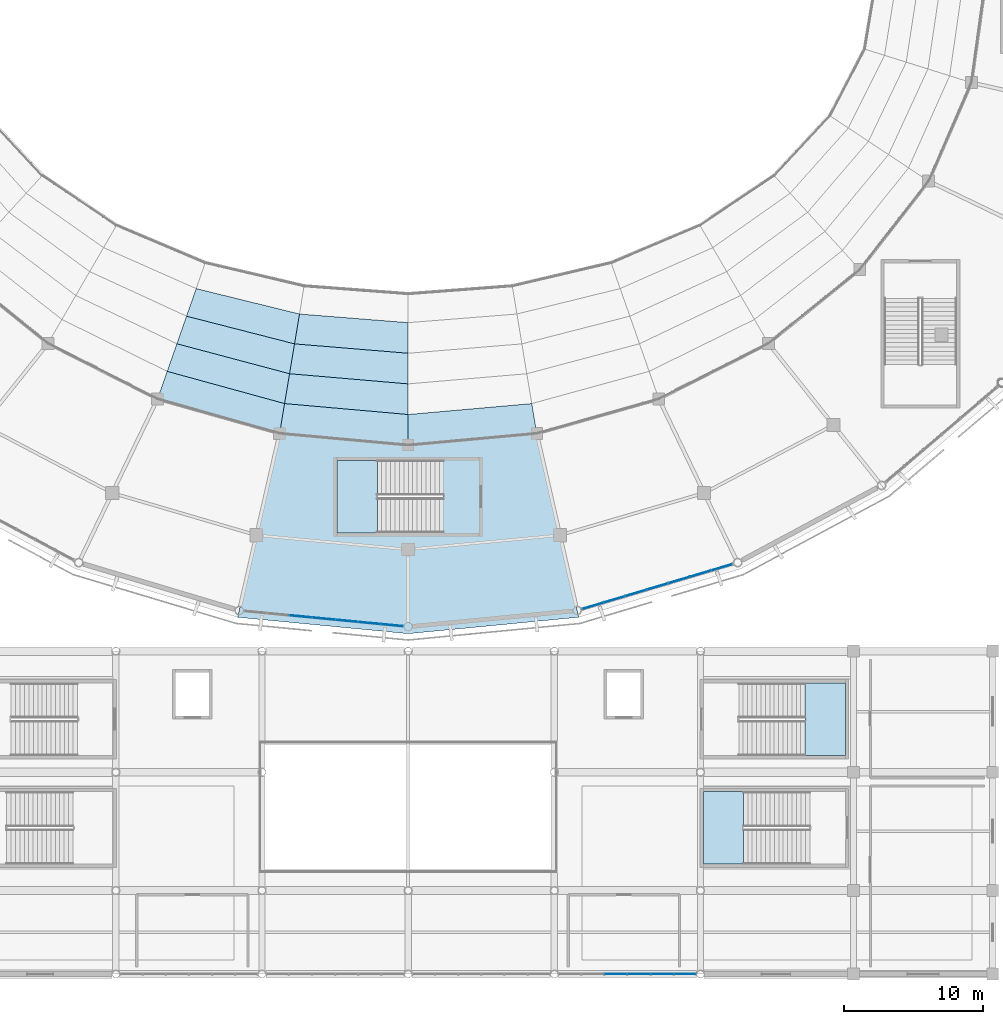
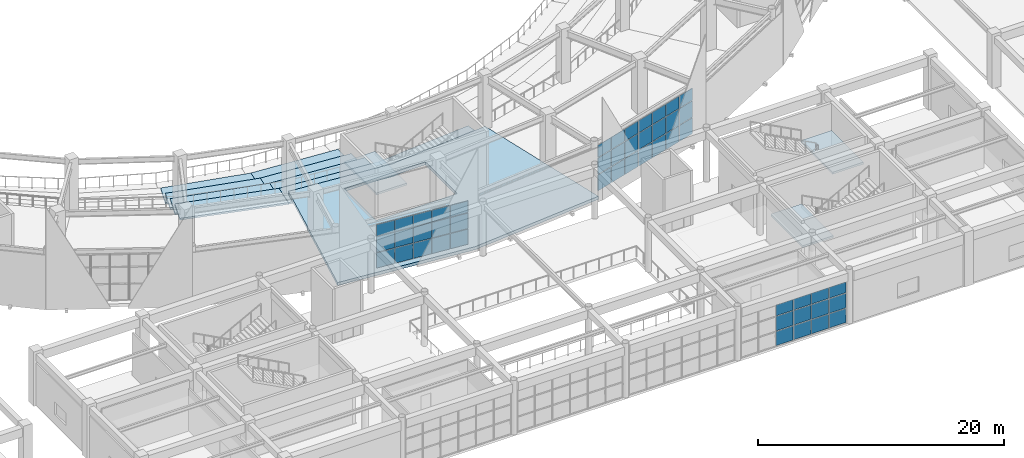
# One storey, part 60 of 120: 48 plates, 13 slabs, 6 elements without a shape of their own.
"""IFC4 building model written with IfcOpenShell, lengths in metres."""

from ifc_helpers import new_model, si_unit, direction, frame, origin, origin_2d, place, context, subcontext, project, spatial, polyline, rectangle, outline, extrude, material, layer, layer_set, type_object, element, aggregate, save


model = new_model("IFC4")

# Units and contexts
model_context = context("Model", 3, precision=1e-05, world=origin(), true_north=direction((0.0, 1.0)))
body_context = subcontext(model_context, "Body", "Model", "MODEL_VIEW")
ifc_project = project(units=[si_unit("LENGTHUNIT", "METRE"), si_unit("AREAUNIT", "SQUARE_METRE"), si_unit("VOLUMEUNIT", "CUBIC_METRE"), si_unit("PLANEANGLEUNIT", "RADIAN"), si_unit("MASSUNIT", "GRAM", prefix="KILO")], contexts=[model_context])

# Site, building, storey
site_placement = place(None, origin())
site = spatial("IfcSite", under=ifc_project, at=site_placement, CompositionType="ELEMENT")
building_placement = place(site_placement, origin())
building = spatial("IfcBuilding", under=site, at=building_placement, Name="Cuetzalor Civic Arena", CompositionType="ELEMENT")
storey_placement = place(building_placement, frame((0.0, 0.0, 6.0)))
storey = spatial("IfcBuildingStorey", under=building, at=storey_placement, Name="L01", CompositionType="ELEMENT", Elevation=6.0)

# Curtain wall, plates
ifc_material_1 = material(Name="Anodised dark bronze aluminium and low-E solar glass", Category="aluminium")
curtain_wall_type_1 = type_object("IfcCurtainWallType", Name="UnitisedCW_11550x4450", PredefinedType="USERDEFINED", material=ifc_material_1)
curtain_wall_1_placement = place(storey_placement, origin())
curtain_wall_1 = element("IfcCurtainWall", 1, at=curtain_wall_1_placement, inside=storey, type_object=curtain_wall_type_1, Name="Drum Triangle Foyer Curtain Wall L01-029", ObjectType="UNITISED CURTAIN WALL", PredefinedType="USERDEFINED")
ifc_material_2 = material(Name="Acoustic laminated solar control glass", Category="glass")
ifc_layer_1 = layer(ifc_material_2, 0.0439453125)
ifc_layer_set_1 = layer_set([ifc_layer_1], Name="Acoustic laminated solar control glass")
plate_type_1 = type_object("IfcPlateType", Name="AcousticTripleGlazedPanel_44", PredefinedType="CURTAIN_PANEL", material=ifc_layer_set_1)
plate_1_placement = place(storey_placement, frame((-1.15185546875, -46.439208984375, 0.06494140625), z_axis=(0.0, 0.0, 1.0), x_axis=(-0.995409139996, 0.095711253324, 0.0)))
plate_1 = element("IfcPlate", 2, at=plate_1_placement, type_object=plate_type_1, Name="CW-08 panel 1.1", PredefinedType="CURTAIN_PANEL", context=body_context, shape_type="SweptSolid", body=[
    extrude(rectangle(XDim=1.5546875, YDim=0.0439453125, at=origin_2d()), origin(), (0.0, 0.0, 1.0), 1.49853515625),
])
plate_2_placement = place(storey_placement, frame((-1.15185546875, -46.439208984375, 1.62841796875), z_axis=(0.0, 0.0, 1.0), x_axis=(-0.995409139996, 0.095711253324, 0.0)))
plate_2 = element("IfcPlate", 3, at=plate_2_placement, type_object=plate_type_1, Name="CW-08 panel 1.2", PredefinedType="CURTAIN_PANEL", context=body_context, shape_type="SweptSolid", body=[
    extrude(rectangle(XDim=1.5546875, YDim=0.0439453125, at=origin_2d()), origin(), (0.0, 0.0, 1.0), 1.530029296875),
])
plate_3_placement = place(storey_placement, frame((-1.15185546875, -46.439208984375, 3.223388671875), z_axis=(0.0, 0.0, 1.0), x_axis=(-0.995409139996, 0.095711253324, 0.0)))
plate_3 = element("IfcPlate", 4, at=plate_3_placement, type_object=plate_type_1, Name="CW-08 panel 1.3", PredefinedType="CURTAIN_PANEL", context=body_context, shape_type="SweptSolid", body=[
    extrude(rectangle(XDim=1.5546875, YDim=0.0439453125, at=origin_2d()), origin(), (0.0, 0.0, 1.0), 1.1435546875),
])
plate_4_placement = place(storey_placement, frame((-2.780029296875, -46.28271484375, 0.06494140625), z_axis=(0.0, 0.0, 1.0), x_axis=(-0.995409139996, 0.095711253324, 0.0)))
plate_4 = element("IfcPlate", 5, at=plate_4_placement, type_object=plate_type_1, Name="CW-08 panel 2.1", PredefinedType="CURTAIN_PANEL", context=body_context, shape_type="SweptSolid", body=[
    extrude(rectangle(XDim=1.587158203125, YDim=0.0439453125, at=origin_2d()), origin(), (0.0, 0.0, 1.0), 1.49853515625),
])
plate_5_placement = place(storey_placement, frame((-2.780029296875, -46.28271484375, 1.62841796875), z_axis=(0.0, 0.0, 1.0), x_axis=(-0.995409139996, 0.095711253324, 0.0)))
plate_5 = element("IfcPlate", 6, at=plate_5_placement, type_object=plate_type_1, Name="CW-08 panel 2.2", PredefinedType="CURTAIN_PANEL", context=body_context, shape_type="SweptSolid", body=[
    extrude(rectangle(XDim=1.587158203125, YDim=0.0439453125, at=origin_2d()), origin(), (0.0, 0.0, 1.0), 1.530029296875),
])
plate_6_placement = place(storey_placement, frame((-2.780029296875, -46.28271484375, 3.223388671875), z_axis=(0.0, 0.0, 1.0), x_axis=(-0.995409139996, 0.095711253324, 0.0)))
plate_6 = element("IfcPlate", 7, at=plate_6_placement, type_object=plate_type_1, Name="CW-08 panel 2.3", PredefinedType="CURTAIN_PANEL", context=body_context, shape_type="SweptSolid", body=[
    extrude(rectangle(XDim=1.587158203125, YDim=0.0439453125, at=origin_2d()), origin(), (0.0, 0.0, 1.0), 1.1435546875),
])
plate_7_placement = place(storey_placement, frame((-4.4248046875, -46.12451171875, 0.06494140625), z_axis=(0.0, 0.0, 1.0), x_axis=(-0.995409139996, 0.095711253324, 0.0)))
plate_7 = element("IfcPlate", 8, at=plate_7_placement, type_object=plate_type_1, Name="CW-08 panel 3.1", PredefinedType="CURTAIN_PANEL", context=body_context, shape_type="SweptSolid", body=[
    extrude(rectangle(XDim=1.587158203125, YDim=0.0439453125, at=origin_2d()), origin(), (0.0, 0.0, 1.0), 1.49853515625),
])
plate_8_placement = place(storey_placement, frame((-4.4248046875, -46.12451171875, 1.62841796875), z_axis=(0.0, 0.0, 1.0), x_axis=(-0.995409139996, 0.095711253324, 0.0)))
plate_8 = element("IfcPlate", 9, at=plate_8_placement, type_object=plate_type_1, Name="CW-08 panel 3.2", PredefinedType="CURTAIN_PANEL", context=body_context, shape_type="SweptSolid", body=[
    extrude(rectangle(XDim=1.587158203125, YDim=0.0439453125, at=origin_2d()), origin(), (0.0, 0.0, 1.0), 1.530029296875),
])
plate_9_placement = place(storey_placement, frame((-4.4248046875, -46.12451171875, 3.223388671875), z_axis=(0.0, 0.0, 1.0), x_axis=(-0.995409139996, 0.095711253324, 0.0)))
plate_9 = element("IfcPlate", 10, at=plate_9_placement, type_object=plate_type_1, Name="CW-08 panel 3.3", PredefinedType="CURTAIN_PANEL", context=body_context, shape_type="SweptSolid", body=[
    extrude(rectangle(XDim=1.587158203125, YDim=0.0439453125, at=origin_2d()), origin(), (0.0, 0.0, 1.0), 1.1435546875),
])
plate_10_placement = place(storey_placement, frame((-6.0693359375, -45.966552734375, 0.06494140625), z_axis=(0.0, 0.0, 1.0), x_axis=(-0.995409139996, 0.095711253324, 0.0)))
plate_10 = element("IfcPlate", 11, at=plate_10_placement, type_object=plate_type_1, Name="CW-08 panel 4.1", PredefinedType="CURTAIN_PANEL", context=body_context, shape_type="SweptSolid", body=[
    extrude(rectangle(XDim=1.587158203125, YDim=0.0439453125, at=origin_2d()), origin(), (0.0, 0.0, 1.0), 1.49853515625),
])
plate_11_placement = place(storey_placement, frame((-6.0693359375, -45.966552734375, 1.62841796875), z_axis=(0.0, 0.0, 1.0), x_axis=(-0.995409139996, 0.095711253324, 0.0)))
plate_11 = element("IfcPlate", 12, at=plate_11_placement, type_object=plate_type_1, Name="CW-08 panel 4.2", PredefinedType="CURTAIN_PANEL", context=body_context, shape_type="SweptSolid", body=[
    extrude(rectangle(XDim=1.587158203125, YDim=0.0439453125, at=origin_2d()), origin(), (0.0, 0.0, 1.0), 1.530029296875),
])
plate_12_placement = place(storey_placement, frame((-6.0693359375, -45.966552734375, 3.223388671875), z_axis=(0.0, 0.0, 1.0), x_axis=(-0.995409139996, 0.095711253324, 0.0)))
plate_12 = element("IfcPlate", 13, at=plate_12_placement, type_object=plate_type_1, Name="CW-08 panel 4.3", PredefinedType="CURTAIN_PANEL", context=body_context, shape_type="SweptSolid", body=[
    extrude(rectangle(XDim=1.587158203125, YDim=0.0439453125, at=origin_2d()), origin(), (0.0, 0.0, 1.0), 1.1435546875),
])
plate_13_placement = place(storey_placement, frame((-7.7138671875, -45.808349609375, 0.06494140625), z_axis=(0.0, 0.0, 1.0), x_axis=(-0.995409139996, 0.095711253324, 0.0)))
plate_13 = element("IfcPlate", 14, at=plate_13_placement, type_object=plate_type_1, Name="CW-08 panel 5.1", PredefinedType="CURTAIN_PANEL", context=body_context, shape_type="SweptSolid", body=[
    extrude(rectangle(XDim=1.587158203125, YDim=0.0439453125, at=origin_2d()), origin(), (0.0, 0.0, 1.0), 1.49853515625),
])
plate_14_placement = place(storey_placement, frame((-7.7138671875, -45.808349609375, 1.62841796875), z_axis=(0.0, 0.0, 1.0), x_axis=(-0.995409139996, 0.095711253324, 0.0)))
plate_14 = element("IfcPlate", 15, at=plate_14_placement, type_object=plate_type_1, Name="CW-08 panel 5.2", PredefinedType="CURTAIN_PANEL", context=body_context, shape_type="SweptSolid", body=[
    extrude(rectangle(XDim=1.587158203125, YDim=0.0439453125, at=origin_2d()), origin(), (0.0, 0.0, 1.0), 1.530029296875),
])
plate_15_placement = place(storey_placement, frame((-7.7138671875, -45.808349609375, 3.223388671875), z_axis=(0.0, 0.0, 1.0), x_axis=(-0.995409139996, 0.095711253324, 0.0)))
plate_15 = element("IfcPlate", 16, at=plate_15_placement, type_object=plate_type_1, Name="CW-08 panel 5.3", PredefinedType="CURTAIN_PANEL", context=body_context, shape_type="SweptSolid", body=[
    extrude(rectangle(XDim=1.587158203125, YDim=0.0439453125, at=origin_2d()), origin(), (0.0, 0.0, 1.0), 1.1435546875),
])
aggregate(curtain_wall_1, [plate_1, plate_2, plate_3, plate_4, plate_5, plate_6, plate_7, plate_8, plate_9, plate_10, plate_11, plate_12, plate_13, plate_14, plate_15])

ifc_material_3 = material(Name="Anodised dark bronze aluminium and low-E solar glass", Category="aluminium")
curtain_wall_type_2 = type_object("IfcCurtainWallType", Name="UnitisedCW_11300x4650", PredefinedType="USERDEFINED", material=ifc_material_3)
curtain_wall_2_placement = place(storey_placement, origin())
curtain_wall_2 = element("IfcCurtainWall", 17, at=curtain_wall_2_placement, inside=storey, type_object=curtain_wall_type_2, Name="Drum Triangle Foyer Curtain Wall L01-030", ObjectType="UNITISED CURTAIN WALL", PredefinedType="USERDEFINED")
plate_16_placement = place(storey_placement, frame((22.53125, -42.279541015625, 0.06982421875), z_axis=(0.0, 0.0, 1.0), x_axis=(-0.958193690548, -0.286120344251, 0.0)))
plate_16 = element("IfcPlate", 18, at=plate_16_placement, type_object=plate_type_1, Name="CW-09 panel 1.1", PredefinedType="CURTAIN_PANEL", context=body_context, shape_type="SweptSolid", body=[
    extrude(rectangle(XDim=1.5107421875, YDim=0.0439453125, at=origin_2d()), origin(), (0.0, 0.0, 1.0), 1.570068359375),
])
plate_17_placement = place(storey_placement, frame((22.53125, -42.279541015625, 1.7099609375), z_axis=(0.0, 0.0, 1.0), x_axis=(-0.958193690548, -0.286120344251, 0.0)))
plate_17 = element("IfcPlate", 19, at=plate_17_placement, type_object=plate_type_1, Name="CW-09 panel 1.2", PredefinedType="CURTAIN_PANEL", context=body_context, shape_type="SweptSolid", body=[
    extrude(rectangle(XDim=1.5107421875, YDim=0.0439453125, at=origin_2d()), origin(), (0.0, 0.0, 1.0), 1.60498046875),
])
plate_18_placement = place(storey_placement, frame((22.53125, -42.279541015625, 3.384765625), z_axis=(0.0, 0.0, 1.0), x_axis=(-0.958193690548, -0.286120344251, 0.0)))
plate_18 = element("IfcPlate", 20, at=plate_18_placement, type_object=plate_type_1, Name="CW-09 panel 1.3", PredefinedType="CURTAIN_PANEL", context=body_context, shape_type="SweptSolid", body=[
    extrude(rectangle(XDim=1.5107421875, YDim=0.0439453125, at=origin_2d()), origin(), (0.0, 0.0, 1.0), 1.197998046875),
])
plate_19_placement = place(storey_placement, frame((20.999755859375, -42.73681640625, 0.06982421875), z_axis=(0.0, 0.0, 1.0), x_axis=(-0.958193690548, -0.286120344251, 0.0)))
plate_19 = element("IfcPlate", 21, at=plate_19_placement, type_object=plate_type_1, Name="CW-09 panel 2.1", PredefinedType="CURTAIN_PANEL", context=body_context, shape_type="SweptSolid", body=[
    extrude(rectangle(XDim=1.545654296875, YDim=0.0439453125, at=origin_2d()), origin(), (0.0, 0.0, 1.0), 1.570068359375),
])
plate_20_placement = place(storey_placement, frame((20.999755859375, -42.73681640625, 1.7099609375), z_axis=(0.0, 0.0, 1.0), x_axis=(-0.958193690548, -0.286120344251, 0.0)))
plate_20 = element("IfcPlate", 22, at=plate_20_placement, type_object=plate_type_1, Name="CW-09 panel 2.2", PredefinedType="CURTAIN_PANEL", context=body_context, shape_type="SweptSolid", body=[
    extrude(rectangle(XDim=1.545654296875, YDim=0.0439453125, at=origin_2d()), origin(), (0.0, 0.0, 1.0), 1.60498046875),
])
plate_21_placement = place(storey_placement, frame((20.999755859375, -42.73681640625, 3.384765625), z_axis=(0.0, 0.0, 1.0), x_axis=(-0.958193690548, -0.286120344251, 0.0)))
plate_21 = element("IfcPlate", 23, at=plate_21_placement, type_object=plate_type_1, Name="CW-09 panel 2.3", PredefinedType="CURTAIN_PANEL", context=body_context, shape_type="SweptSolid", body=[
    extrude(rectangle(XDim=1.545654296875, YDim=0.0439453125, at=origin_2d()), origin(), (0.0, 0.0, 1.0), 1.197998046875),
])
plate_22_placement = place(storey_placement, frame((19.45166015625, -43.19921875, 0.06982421875), z_axis=(0.0, 0.0, 1.0), x_axis=(-0.958193690548, -0.286120344251, 0.0)))
plate_22 = element("IfcPlate", 24, at=plate_22_placement, type_object=plate_type_1, Name="CW-09 panel 3.1", PredefinedType="CURTAIN_PANEL", context=body_context, shape_type="SweptSolid", body=[
    extrude(rectangle(XDim=1.545654296875, YDim=0.0439453125, at=origin_2d()), origin(), (0.0, 0.0, 1.0), 1.570068359375),
])
plate_23_placement = place(storey_placement, frame((19.45166015625, -43.19921875, 1.7099609375), z_axis=(0.0, 0.0, 1.0), x_axis=(-0.958193690548, -0.286120344251, 0.0)))
plate_23 = element("IfcPlate", 25, at=plate_23_placement, type_object=plate_type_1, Name="CW-09 panel 3.2", PredefinedType="CURTAIN_PANEL", context=body_context, shape_type="SweptSolid", body=[
    extrude(rectangle(XDim=1.545654296875, YDim=0.0439453125, at=origin_2d()), origin(), (0.0, 0.0, 1.0), 1.60498046875),
])
plate_24_placement = place(storey_placement, frame((19.45166015625, -43.19921875, 3.384765625), z_axis=(0.0, 0.0, 1.0), x_axis=(-0.958193690548, -0.286120344251, 0.0)))
plate_24 = element("IfcPlate", 26, at=plate_24_placement, type_object=plate_type_1, Name="CW-09 panel 3.3", PredefinedType="CURTAIN_PANEL", context=body_context, shape_type="SweptSolid", body=[
    extrude(rectangle(XDim=1.545654296875, YDim=0.0439453125, at=origin_2d()), origin(), (0.0, 0.0, 1.0), 1.197998046875),
])
plate_25_placement = place(storey_placement, frame((17.903564453125, -43.66162109375, 0.06982421875), z_axis=(0.0, 0.0, 1.0), x_axis=(-0.958193690548, -0.286120344251, 0.0)))
plate_25 = element("IfcPlate", 27, at=plate_25_placement, type_object=plate_type_1, Name="CW-09 panel 4.1", PredefinedType="CURTAIN_PANEL", context=body_context, shape_type="SweptSolid", body=[
    extrude(rectangle(XDim=1.545654296875, YDim=0.0439453125, at=origin_2d()), origin(), (0.0, 0.0, 1.0), 1.570068359375),
])
plate_26_placement = place(storey_placement, frame((17.903564453125, -43.66162109375, 1.7099609375), z_axis=(0.0, 0.0, 1.0), x_axis=(-0.958193690548, -0.286120344251, 0.0)))
plate_26 = element("IfcPlate", 28, at=plate_26_placement, type_object=plate_type_1, Name="CW-09 panel 4.2", PredefinedType="CURTAIN_PANEL", context=body_context, shape_type="SweptSolid", body=[
    extrude(rectangle(XDim=1.545654296875, YDim=0.0439453125, at=origin_2d()), origin(), (0.0, 0.0, 1.0), 1.60498046875),
])
plate_27_placement = place(storey_placement, frame((17.903564453125, -43.66162109375, 3.384765625), z_axis=(0.0, 0.0, 1.0), x_axis=(-0.958193690548, -0.286120344251, 0.0)))
plate_27 = element("IfcPlate", 29, at=plate_27_placement, type_object=plate_type_1, Name="CW-09 panel 4.3", PredefinedType="CURTAIN_PANEL", context=body_context, shape_type="SweptSolid", body=[
    extrude(rectangle(XDim=1.545654296875, YDim=0.0439453125, at=origin_2d()), origin(), (0.0, 0.0, 1.0), 1.197998046875),
])
plate_28_placement = place(storey_placement, frame((16.355224609375, -44.123779296875, 0.06982421875), z_axis=(0.0, 0.0, 1.0), x_axis=(-0.958193690548, -0.286120344251, 0.0)))
plate_28 = element("IfcPlate", 30, at=plate_28_placement, type_object=plate_type_1, Name="CW-09 panel 5.1", PredefinedType="CURTAIN_PANEL", context=body_context, shape_type="SweptSolid", body=[
    extrude(rectangle(XDim=1.545654296875, YDim=0.0439453125, at=origin_2d()), origin(), (0.0, 0.0, 1.0), 1.570068359375),
])
plate_29_placement = place(storey_placement, frame((16.355224609375, -44.123779296875, 1.7099609375), z_axis=(0.0, 0.0, 1.0), x_axis=(-0.958193690548, -0.286120344251, 0.0)))
plate_29 = element("IfcPlate", 31, at=plate_29_placement, type_object=plate_type_1, Name="CW-09 panel 5.2", PredefinedType="CURTAIN_PANEL", context=body_context, shape_type="SweptSolid", body=[
    extrude(rectangle(XDim=1.545654296875, YDim=0.0439453125, at=origin_2d()), origin(), (0.0, 0.0, 1.0), 1.60498046875),
])
plate_30_placement = place(storey_placement, frame((16.355224609375, -44.123779296875, 3.384765625), z_axis=(0.0, 0.0, 1.0), x_axis=(-0.958193690548, -0.286120344251, 0.0)))
plate_30 = element("IfcPlate", 32, at=plate_30_placement, type_object=plate_type_1, Name="CW-09 panel 5.3", PredefinedType="CURTAIN_PANEL", context=body_context, shape_type="SweptSolid", body=[
    extrude(rectangle(XDim=1.545654296875, YDim=0.0439453125, at=origin_2d()), origin(), (0.0, 0.0, 1.0), 1.197998046875),
])
plate_31_placement = place(storey_placement, frame((14.80712890625, -44.586181640625, 0.06982421875), z_axis=(0.0, 0.0, 1.0), x_axis=(-0.958193690548, -0.286120344251, 0.0)))
plate_31 = element("IfcPlate", 33, at=plate_31_placement, type_object=plate_type_1, Name="CW-09 panel 6.1", PredefinedType="CURTAIN_PANEL", context=body_context, shape_type="SweptSolid", body=[
    extrude(rectangle(XDim=1.545654296875, YDim=0.0439453125, at=origin_2d()), origin(), (0.0, 0.0, 1.0), 1.570068359375),
])
plate_32_placement = place(storey_placement, frame((14.80712890625, -44.586181640625, 1.7099609375), z_axis=(0.0, 0.0, 1.0), x_axis=(-0.958193690548, -0.286120344251, 0.0)))
plate_32 = element("IfcPlate", 34, at=plate_32_placement, type_object=plate_type_1, Name="CW-09 panel 6.2", PredefinedType="CURTAIN_PANEL", context=body_context, shape_type="SweptSolid", body=[
    extrude(rectangle(XDim=1.545654296875, YDim=0.0439453125, at=origin_2d()), origin(), (0.0, 0.0, 1.0), 1.60498046875),
])
plate_33_placement = place(storey_placement, frame((14.80712890625, -44.586181640625, 3.384765625), z_axis=(0.0, 0.0, 1.0), x_axis=(-0.958193690548, -0.286120344251, 0.0)))
plate_33 = element("IfcPlate", 35, at=plate_33_placement, type_object=plate_type_1, Name="CW-09 panel 6.3", PredefinedType="CURTAIN_PANEL", context=body_context, shape_type="SweptSolid", body=[
    extrude(rectangle(XDim=1.545654296875, YDim=0.0439453125, at=origin_2d()), origin(), (0.0, 0.0, 1.0), 1.197998046875),
])
plate_34_placement = place(storey_placement, frame((13.275634765625, -45.04345703125, 0.06982421875), z_axis=(0.0, 0.0, 1.0), x_axis=(-0.958193690548, -0.286120344251, 0.0)))
plate_34 = element("IfcPlate", 36, at=plate_34_placement, type_object=plate_type_1, Name="CW-09 panel 7.1", PredefinedType="CURTAIN_PANEL", context=body_context, shape_type="SweptSolid", body=[
    extrude(rectangle(XDim=1.5107421875, YDim=0.0439453125, at=origin_2d()), origin(), (0.0, 0.0, 1.0), 1.570068359375),
])
plate_35_placement = place(storey_placement, frame((13.275634765625, -45.04345703125, 1.7099609375), z_axis=(0.0, 0.0, 1.0), x_axis=(-0.958193690548, -0.286120344251, 0.0)))
plate_35 = element("IfcPlate", 37, at=plate_35_placement, type_object=plate_type_1, Name="CW-09 panel 7.2", PredefinedType="CURTAIN_PANEL", context=body_context, shape_type="SweptSolid", body=[
    extrude(rectangle(XDim=1.5107421875, YDim=0.0439453125, at=origin_2d()), origin(), (0.0, 0.0, 1.0), 1.60498046875),
])
plate_36_placement = place(storey_placement, frame((13.275634765625, -45.04345703125, 3.384765625), z_axis=(0.0, 0.0, 1.0), x_axis=(-0.958193690548, -0.286120344251, 0.0)))
plate_36 = element("IfcPlate", 38, at=plate_36_placement, type_object=plate_type_1, Name="CW-09 panel 7.3", PredefinedType="CURTAIN_PANEL", context=body_context, shape_type="SweptSolid", body=[
    extrude(rectangle(XDim=1.5107421875, YDim=0.0439453125, at=origin_2d()), origin(), (0.0, 0.0, 1.0), 1.197998046875),
])
aggregate(curtain_wall_2, [plate_16, plate_17, plate_18, plate_19, plate_20, plate_21, plate_22, plate_23, plate_24, plate_25, plate_26, plate_27, plate_28, plate_29, plate_30, plate_31, plate_32, plate_33, plate_34, plate_35, plate_36])

# Slabs
ifc_material_4 = material(Name="Concrete C35/45", Category="concrete")
ifc_layer_2 = layer(ifc_material_4, 0.300048828125)
ifc_layer_set_2 = layer_set([ifc_layer_2], Name="Concrete C35/45")
slab_type_1 = type_object("IfcSlabType", Name="ConcourseFloorSlab_300", PredefinedType="FLOOR", material=ifc_layer_set_2)
slab_1_placement = place(storey_placement, frame((0.0, 0.0, -0.300048828125)))
element("IfcSlab", 39, at=slab_1_placement, inside=storey, type_object=slab_type_1, Name="Arena Concourse Sector Slab L01-11", PredefinedType="FLOOR", context=body_context, shape_type="SweptSolid", body=[
    extrude(outline(polyline([(0.0, -33.5), (9.234619140625, -32.66015625), (12.249755859375, -45.870361328125), (0.0, -47.050048828125), (-12.249755859375, -45.870361328125), (-9.234619140625, -32.66015625), (0.0, -33.5)]), holes=[polyline([(2.5, -39.800048828125), (2.5, -34.60009765625), (-5.10009765625, -34.60009765625), (-5.10009765625, -39.800048828125), (2.5, -39.800048828125)])]), origin(), (0.0, 0.0, 1.0), 0.300048828125),
])
ifc_material_5 = material(Name="Precast concrete C45/55", Category="concrete")
ifc_layer_3 = layer(ifc_material_5, 0.179931640625)
ifc_layer_set_3 = layer_set([ifc_layer_3], Name="Precast concrete C45/55")
slab_type_2 = type_object("IfcSlabType", Name="LowerBowlSeatingTier_180", PredefinedType="USERDEFINED", material=ifc_layer_set_3)
slab_2_placement = place(storey_placement, frame((0.0, 0.0, -4.06005859375)))
element("IfcSlab", 40, at=slab_2_placement, inside=storey, type_object=slab_type_2, Name="Stand Lower Tier Bay 20 Row 2", ObjectType="SEATING TIER", PredefinedType="USERDEFINED", context=body_context, shape_type="SweptSolid", body=[
    extrude(outline(polyline([(-15.229248046875, -22.25390625), (-7.810546875, -24.080810546875), (-8.16650390625, -26.2255859375), (-15.923583984375, -24.236083984375), (-15.229248046875, -22.25390625)])), origin(), (0.0, 0.0, 1.0), 0.18017578125),
])
slab_3_placement = place(storey_placement, frame((0.0, 0.0, -3.139892578125)))
element("IfcSlab", 41, at=slab_3_placement, inside=storey, type_object=slab_type_2, Name="Stand Lower Tier Bay 20 Row 3", ObjectType="SEATING TIER", PredefinedType="USERDEFINED", context=body_context, shape_type="SweptSolid", body=[
    extrude(outline(polyline([(-15.923583984375, -24.236083984375), (-8.16650390625, -26.2255859375), (-8.522705078125, -28.370361328125), (-16.61767578125, -26.21826171875), (-15.923583984375, -24.236083984375)])), origin(), (0.0, 0.0, 1.0), 0.179931640625),
])
slab_4_placement = place(storey_placement, frame((0.0, 0.0, -2.219970703125)))
element("IfcSlab", 42, at=slab_4_placement, inside=storey, type_object=slab_type_2, Name="Stand Lower Tier Bay 20 Row 4", ObjectType="SEATING TIER", PredefinedType="USERDEFINED", context=body_context, shape_type="SweptSolid", body=[
    extrude(outline(polyline([(-16.61767578125, -26.21826171875), (-8.522705078125, -28.370361328125), (-8.878662109375, -30.51513671875), (-17.31201171875, -28.2001953125), (-16.61767578125, -26.21826171875)])), origin(), (0.0, 0.0, 1.0), 0.179931640625),
])
slab_5_placement = place(storey_placement, frame((0.0, 0.0, -1.300048828125)))
element("IfcSlab", 43, at=slab_5_placement, inside=storey, type_object=slab_type_2, Name="Stand Lower Tier Bay 20 Row 5", ObjectType="SEATING TIER", PredefinedType="USERDEFINED", context=body_context, shape_type="SweptSolid", body=[
    extrude(outline(polyline([(-17.31201171875, -28.2001953125), (-8.878662109375, -30.51513671875), (-9.234619140625, -32.66015625), (-18.006103515625, -30.1826171875), (-17.31201171875, -28.2001953125)])), origin(), (0.0, 0.0, 1.0), 0.179931640625),
])
slab_6_placement = place(storey_placement, frame((0.0, 0.0, -4.06005859375)))
element("IfcSlab", 44, at=slab_6_placement, inside=storey, type_object=slab_type_2, Name="Stand Lower Tier Bay 21 Row 2", ObjectType="SEATING TIER", PredefinedType="USERDEFINED", context=body_context, shape_type="SweptSolid", body=[
    extrude(outline(polyline([(-7.810546875, -24.080810546875), (0.0, -24.699951171875), (0.0, -26.89990234375), (-8.16650390625, -26.2255859375), (-7.810546875, -24.080810546875)])), origin(), (0.0, 0.0, 1.0), 0.18017578125),
])
slab_7_placement = place(storey_placement, frame((0.0, 0.0, -3.139892578125)))
element("IfcSlab", 45, at=slab_7_placement, inside=storey, type_object=slab_type_2, Name="Stand Lower Tier Bay 21 Row 3", ObjectType="SEATING TIER", PredefinedType="USERDEFINED", context=body_context, shape_type="SweptSolid", body=[
    extrude(outline(polyline([(-8.16650390625, -26.2255859375), (0.0, -26.89990234375), (0.0, -29.10009765625), (-8.522705078125, -28.370361328125), (-8.16650390625, -26.2255859375)])), origin(), (0.0, 0.0, 1.0), 0.179931640625),
])
slab_8_placement = place(storey_placement, frame((0.0, 0.0, -2.219970703125)))
element("IfcSlab", 46, at=slab_8_placement, inside=storey, type_object=slab_type_2, Name="Stand Lower Tier Bay 21 Row 4", ObjectType="SEATING TIER", PredefinedType="USERDEFINED", context=body_context, shape_type="SweptSolid", body=[
    extrude(outline(polyline([(-8.522705078125, -28.370361328125), (0.0, -29.10009765625), (0.0, -31.300048828125), (-8.878662109375, -30.51513671875), (-8.522705078125, -28.370361328125)])), origin(), (0.0, 0.0, 1.0), 0.179931640625),
])
slab_9_placement = place(storey_placement, frame((0.0, 0.0, -1.300048828125)))
element("IfcSlab", 47, at=slab_9_placement, inside=storey, type_object=slab_type_2, Name="Stand Lower Tier Bay 21 Row 5", ObjectType="SEATING TIER", PredefinedType="USERDEFINED", context=body_context, shape_type="SweptSolid", body=[
    extrude(outline(polyline([(-8.878662109375, -30.51513671875), (0.0, -31.300048828125), (0.0, -33.5), (-9.234619140625, -32.66015625), (-8.878662109375, -30.51513671875)])), origin(), (0.0, 0.0, 1.0), 0.179931640625),
])
slab_10_placement = place(storey_placement, frame((0.0, 0.0, -1.300048828125)))
element("IfcSlab", 48, at=slab_10_placement, inside=storey, type_object=slab_type_2, Name="Stand Lower Tier Bay 22 Row 5", ObjectType="SEATING TIER", PredefinedType="USERDEFINED", context=body_context, shape_type="SweptSolid", body=[
    extrude(outline(polyline([(0.0, -31.300048828125), (8.878662109375, -30.51513671875), (9.234619140625, -32.66015625), (0.0, -33.5), (0.0, -31.300048828125)])), origin(), (0.0, 0.0, 1.0), 0.179931640625),
])

# Curtain wall, plates
ifc_material_6 = material(Name="Anodised dark bronze aluminium and low-E solar glass", Category="aluminium")
curtain_wall_type_3 = type_object("IfcCurtainWallType", Name="StickCW_10000x4150", PredefinedType="USERDEFINED", material=ifc_material_6)
curtain_wall_3_placement = place(storey_placement, origin())
curtain_wall_3 = element("IfcCurtainWall", 49, at=curtain_wall_3_placement, inside=storey, type_object=curtain_wall_type_3, Name="South Civic Square Curtain Wall L01-086", ObjectType="STICK CURTAIN WALL", PredefinedType="USERDEFINED")
ifc_material_7 = material(Name="Low-E laminated solar control glass", Category="glass")
ifc_layer_4 = layer(ifc_material_7, 0.031982421875)
ifc_layer_set_4 = layer_set([ifc_layer_4], Name="Low-E laminated solar control glass")
plate_type_2 = type_object("IfcPlateType", Name="SolarControlGlazedPanel_32", PredefinedType="CURTAIN_PANEL", material=ifc_layer_set_4)
plate_37_placement = place(storey_placement, frame((19.890869140625, -71.5, 0.06494140625), z_axis=(0.0, 0.0, 1.0), x_axis=(-1.0, 0.0, 0.0)))
plate_37 = element("IfcPlate", 50, at=plate_37_placement, type_object=plate_type_2, Name="CW-25 panel 1.1", PredefinedType="CURTAIN_PANEL", context=body_context, shape_type="SweptSolid", body=[
    extrude(rectangle(XDim=1.5654296875, YDim=0.031982421875, at=origin_2d()), origin(), (0.0, 0.0, 1.0), 1.400390625),
])
plate_38_placement = place(storey_placement, frame((19.890869140625, -71.5, 1.53076171875), z_axis=(0.0, 0.0, 1.0), x_axis=(-1.0, 0.0, 0.0)))
plate_38 = element("IfcPlate", 51, at=plate_38_placement, type_object=plate_type_2, Name="CW-25 panel 1.2", PredefinedType="CURTAIN_PANEL", context=body_context, shape_type="SweptSolid", body=[
    extrude(rectangle(XDim=1.5654296875, YDim=0.031982421875, at=origin_2d()), origin(), (0.0, 0.0, 1.0), 1.431884765625),
])
plate_39_placement = place(storey_placement, frame((19.890869140625, -71.5, 3.027587890625), z_axis=(0.0, 0.0, 1.0), x_axis=(-1.0, 0.0, 0.0)))
plate_39 = element("IfcPlate", 52, at=plate_39_placement, type_object=plate_type_2, Name="CW-25 panel 1.3", PredefinedType="CURTAIN_PANEL", context=body_context, shape_type="SweptSolid", body=[
    extrude(rectangle(XDim=1.5654296875, YDim=0.031982421875, at=origin_2d()), origin(), (0.0, 0.0, 1.0), 1.0673828125),
])
plate_40_placement = place(storey_placement, frame((18.244140625, -71.5, 0.06494140625), z_axis=(0.0, 0.0, 1.0), x_axis=(-1.0, 0.0, 0.0)))
plate_40 = element("IfcPlate", 53, at=plate_40_placement, type_object=plate_type_2, Name="CW-25 panel 2.1", PredefinedType="CURTAIN_PANEL", context=body_context, shape_type="SweptSolid", body=[
    extrude(rectangle(XDim=1.597900390625, YDim=0.031982421875, at=origin_2d()), origin(), (0.0, 0.0, 1.0), 1.400390625),
])
plate_41_placement = place(storey_placement, frame((18.244140625, -71.5, 1.53076171875), z_axis=(0.0, 0.0, 1.0), x_axis=(-1.0, 0.0, 0.0)))
plate_41 = element("IfcPlate", 54, at=plate_41_placement, type_object=plate_type_2, Name="CW-25 panel 2.2", PredefinedType="CURTAIN_PANEL", context=body_context, shape_type="SweptSolid", body=[
    extrude(rectangle(XDim=1.597900390625, YDim=0.031982421875, at=origin_2d()), origin(), (0.0, 0.0, 1.0), 1.431884765625),
])
plate_42_placement = place(storey_placement, frame((18.244140625, -71.5, 3.027587890625), z_axis=(0.0, 0.0, 1.0), x_axis=(-1.0, 0.0, 0.0)))
plate_42 = element("IfcPlate", 55, at=plate_42_placement, type_object=plate_type_2, Name="CW-25 panel 2.3", PredefinedType="CURTAIN_PANEL", context=body_context, shape_type="SweptSolid", body=[
    extrude(rectangle(XDim=1.597900390625, YDim=0.031982421875, at=origin_2d()), origin(), (0.0, 0.0, 1.0), 1.0673828125),
])
plate_43_placement = place(storey_placement, frame((16.581298828125, -71.5, 0.06494140625), z_axis=(0.0, 0.0, 1.0), x_axis=(-1.0, 0.0, 0.0)))
plate_43 = element("IfcPlate", 56, at=plate_43_placement, type_object=plate_type_2, Name="CW-25 panel 3.1", PredefinedType="CURTAIN_PANEL", context=body_context, shape_type="SweptSolid", body=[
    extrude(rectangle(XDim=1.597900390625, YDim=0.031982421875, at=origin_2d()), origin(), (0.0, 0.0, 1.0), 1.400390625),
])
plate_44_placement = place(storey_placement, frame((16.581298828125, -71.5, 1.53076171875), z_axis=(0.0, 0.0, 1.0), x_axis=(-1.0, 0.0, 0.0)))
plate_44 = element("IfcPlate", 57, at=plate_44_placement, type_object=plate_type_2, Name="CW-25 panel 3.2", PredefinedType="CURTAIN_PANEL", context=body_context, shape_type="SweptSolid", body=[
    extrude(rectangle(XDim=1.597900390625, YDim=0.031982421875, at=origin_2d()), origin(), (0.0, 0.0, 1.0), 1.431884765625),
])
plate_45_placement = place(storey_placement, frame((16.581298828125, -71.5, 3.027587890625), z_axis=(0.0, 0.0, 1.0), x_axis=(-1.0, 0.0, 0.0)))
plate_45 = element("IfcPlate", 58, at=plate_45_placement, type_object=plate_type_2, Name="CW-25 panel 3.3", PredefinedType="CURTAIN_PANEL", context=body_context, shape_type="SweptSolid", body=[
    extrude(rectangle(XDim=1.597900390625, YDim=0.031982421875, at=origin_2d()), origin(), (0.0, 0.0, 1.0), 1.0673828125),
])
plate_46_placement = place(storey_placement, frame((14.918701171875, -71.5, 0.06494140625), z_axis=(0.0, 0.0, 1.0), x_axis=(-1.0, 0.0, 0.0)))
plate_46 = element("IfcPlate", 59, at=plate_46_placement, type_object=plate_type_2, Name="CW-25 panel 4.1", PredefinedType="CURTAIN_PANEL", context=body_context, shape_type="SweptSolid", body=[
    extrude(rectangle(XDim=1.597900390625, YDim=0.031982421875, at=origin_2d()), origin(), (0.0, 0.0, 1.0), 1.400390625),
])
plate_47_placement = place(storey_placement, frame((14.918701171875, -71.5, 1.53076171875), z_axis=(0.0, 0.0, 1.0), x_axis=(-1.0, 0.0, 0.0)))
plate_47 = element("IfcPlate", 60, at=plate_47_placement, type_object=plate_type_2, Name="CW-25 panel 4.2", PredefinedType="CURTAIN_PANEL", context=body_context, shape_type="SweptSolid", body=[
    extrude(rectangle(XDim=1.597900390625, YDim=0.031982421875, at=origin_2d()), origin(), (0.0, 0.0, 1.0), 1.431884765625),
])
plate_48_placement = place(storey_placement, frame((14.918701171875, -71.5, 3.027587890625), z_axis=(0.0, 0.0, 1.0), x_axis=(-1.0, 0.0, 0.0)))
plate_48 = element("IfcPlate", 61, at=plate_48_placement, type_object=plate_type_2, Name="CW-25 panel 4.3", PredefinedType="CURTAIN_PANEL", context=body_context, shape_type="SweptSolid", body=[
    extrude(rectangle(XDim=1.597900390625, YDim=0.031982421875, at=origin_2d()), origin(), (0.0, 0.0, 1.0), 1.0673828125),
])
aggregate(curtain_wall_3, [plate_37, plate_38, plate_39, plate_40, plate_41, plate_42, plate_43, plate_44, plate_45, plate_46, plate_47, plate_48])

# Stair, slab
ifc_material_8 = material(Name="Precast concrete C40/50", Category="concrete")
stair_type = type_object("IfcStairType", Name="EnclosedExitStair_H540", PredefinedType="HALF_TURN_STAIR", material=ifc_material_8)
stair_1_placement = place(storey_placement, origin())
stair_1 = element("IfcStair", 62, at=stair_1_placement, inside=storey, type_object=stair_type, Name="L01 Enclosed Exit Stair ST-07", PredefinedType="HALF_TURN_STAIR")
ifc_material_9 = material(Name="Concrete C40/50", Category="concrete")
ifc_layer_5 = layer(ifc_material_9, 0.199951171875)
ifc_layer_set_5 = layer_set([ifc_layer_5], Name="Concrete C40/50")
slab_type_3 = type_object("IfcSlabType", Name="StairHalfLandingSlab_200", PredefinedType="LANDING", material=ifc_layer_set_5)
slab_11_placement = place(storey_placement, frame((0.0, 0.0, 2.5)))
slab_11 = element("IfcSlab", 63, at=slab_11_placement, type_object=slab_type_3, Name="ST-07 landing 1", PredefinedType="LANDING", context=body_context, shape_type="SweptSolid", body=[
    extrude(outline(polyline([(-2.219970703125, -34.60009765625), (-5.10009765625, -34.60009765625), (-5.10009765625, -39.800048828125), (-2.219970703125, -39.800048828125), (-2.219970703125, -34.60009765625)])), origin(), (0.0, 0.0, 1.0), 0.199951171875),
])
aggregate(stair_1, [slab_11])

stair_2_placement = place(storey_placement, origin())
stair_2 = element("IfcStair", 64, at=stair_2_placement, inside=storey, type_object=stair_type, Name="L01 Enclosed Exit Stair ST-11", PredefinedType="HALF_TURN_STAIR")
slab_12_placement = place(storey_placement, frame((0.0, 0.0, 2.5)))
slab_12 = element("IfcSlab", 65, at=slab_12_placement, type_object=slab_type_3, Name="ST-11 landing 1", PredefinedType="LANDING", context=body_context, shape_type="SweptSolid", body=[
    extrude(outline(polyline([(28.52001953125, -55.800048828125), (31.39990234375, -55.800048828125), (31.39990234375, -50.60009765625), (28.52001953125, -50.60009765625), (28.52001953125, -55.800048828125)])), origin(), (0.0, 0.0, 1.0), 0.199951171875),
])
aggregate(stair_2, [slab_12])

stair_3_placement = place(storey_placement, origin())
stair_3 = element("IfcStair", 66, at=stair_3_placement, inside=storey, type_object=stair_type, Name="L01 Enclosed Exit Stair ST-12", PredefinedType="HALF_TURN_STAIR")
slab_13_placement = place(storey_placement, frame((0.0, 0.0, 2.5)))
slab_13 = element("IfcSlab", 67, at=slab_13_placement, type_object=slab_type_3, Name="ST-12 landing 1", PredefinedType="LANDING", context=body_context, shape_type="SweptSolid", body=[
    extrude(outline(polyline([(24.080078125, -58.39990234375), (21.199951171875, -58.39990234375), (21.199951171875, -63.60009765625), (24.080078125, -63.60009765625), (24.080078125, -58.39990234375)])), origin(), (0.0, 0.0, 1.0), 0.199951171875),
])
aggregate(stair_3, [slab_13])

save(model, "model.ifc")
